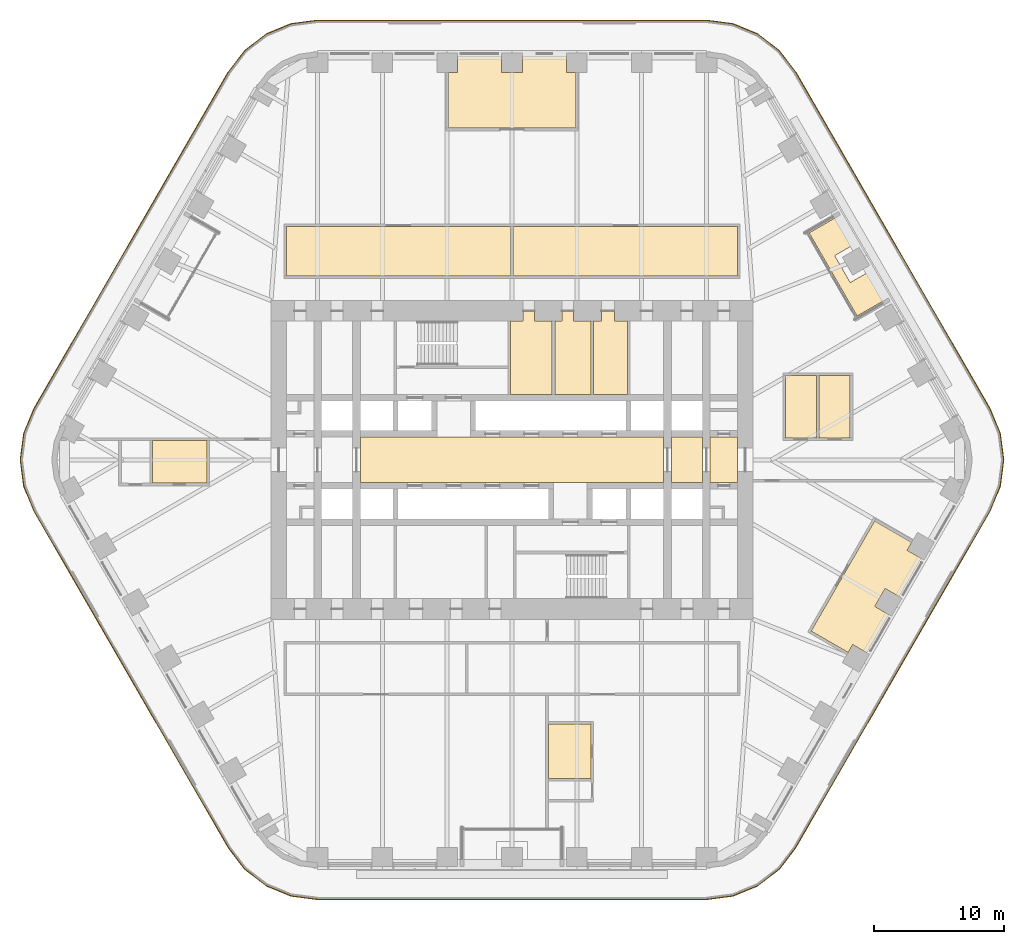
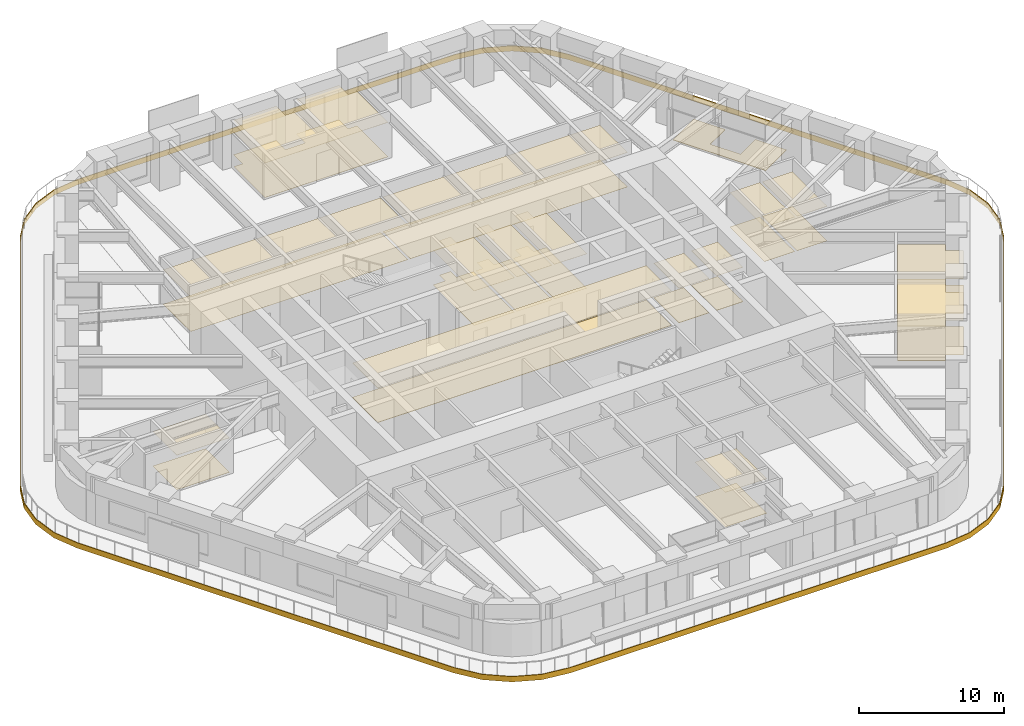
# One storey, part 23 of 24: 16 coverings.
"""IFC4 building model written with IfcOpenShell, lengths in metres."""

from ifc_helpers import new_model, si_unit, direction, frame, origin, place, context, subcontext, project, spatial, polyline, outline, extrude, material, layer, layer_set, type_object, element, save


model = new_model("IFC4")

# Units and contexts
model_context = context("Model", 3, precision=1e-05, world=origin(), true_north=direction((0.0, 1.0)))
body_context = subcontext(model_context, "Body", "Model", "MODEL_VIEW")
ifc_project = project(units=[si_unit("LENGTHUNIT", "METRE"), si_unit("AREAUNIT", "SQUARE_METRE"), si_unit("VOLUMEUNIT", "CUBIC_METRE"), si_unit("PLANEANGLEUNIT", "RADIAN"), si_unit("MASSUNIT", "GRAM", prefix="KILO")], contexts=[model_context])

# Site, building, storey
site_placement = place(None, origin())
site = spatial("IfcSite", under=ifc_project, at=site_placement, CompositionType="ELEMENT")
building_placement = place(site_placement, origin())
building = spatial("IfcBuilding", under=site, at=building_placement, Name="Tarfa Lantern Tower", CompositionType="ELEMENT")
storey_placement = place(building_placement, frame((0.0, 0.0, 148.89990234375)))
storey = spatial("IfcBuildingStorey", under=building, at=storey_placement, Name="L33", CompositionType="ELEMENT", Elevation=148.89990234375)

# Coverings
ifc_material_1 = material(Name="Mineral fibre acoustic tile on suspension grid", Category="finish")
ifc_layer_1 = layer(ifc_material_1, 0.02001953125)
ifc_layer_set_1 = layer_set([ifc_layer_1], Name="CL1 ACOUSTIC TILE CEILING 20")
covering_type_1 = type_object("IfcCoveringType", Name="CL1 ACOUSTIC TILE CEILING 20", PredefinedType="CEILING", material=ifc_layer_set_1)
covering_1_placement = place(storey_placement, frame((0.0, 0.0, 2.900146484375)))
element("IfcCovering", 1, at=covering_1_placement, inside=storey, type_object=covering_type_1, Name="Ceiling L33 CL1", PredefinedType="CEILING", context=body_context, shape_type="SweptSolid", body=[
    extrude(outline(polyline([(-17.39990234375, 18.0), (-0.10009765625, 18.0), (-0.10009765625, 14.199951171875), (-17.39990234375, 14.199951171875), (-17.39990234375, 18.0)])), origin(), (0.0, 0.0, 1.0), 0.02001953125),
    extrude(outline(polyline([(0.10009765625, 18.0), (17.39990234375, 18.0), (17.39990234375, 14.199951171875), (0.10009765625, 14.199951171875), (0.10009765625, 18.0)])), origin(), (0.0, 0.0, 1.0), 0.02001953125),
    extrude(outline(polyline([(4.90380859375, 25.60009765625), (-4.90380859375, 25.60009765625), (-4.90380859375, 29.89990234375), (-4.20361328125, 29.89990234375), (-4.20361328125, 31.14990234375), (-0.800048828125, 31.14990234375), (-0.800048828125, 29.89990234375), (0.800048828125, 29.89990234375), (0.800048828125, 31.14990234375), (4.20361328125, 31.14990234375), (4.20361328125, 29.89990234375), (4.90380859375, 29.89990234375), (4.90380859375, 25.60009765625)])), origin(), (0.0, 0.0, 1.0), 0.02001953125),
    extrude(outline(polyline([(27.989990234375, -4.719970703125), (30.847900390625, -6.369873046875), (30.497802734375, -6.97607421875), (31.580322265625, -7.60107421875), (29.878662109375, -10.548828125), (28.7958984375, -9.923828125), (27.99609375, -11.3095703125), (29.07861328125, -11.9345703125), (27.376708984375, -14.882080078125), (26.294189453125, -14.257080078125), (25.944091796875, -14.86328125), (23.086181640625, -13.21337890625), (27.989990234375, -4.719970703125)])), origin(), (0.0, 0.0, 1.0), 0.02001953125),
    extrude(outline(polyline([(21.10009765625, 6.5), (23.5, 6.5), (23.5, 1.699951171875), (21.10009765625, 1.699951171875), (21.10009765625, 6.5)])), origin(), (0.0, 0.0, 1.0), 0.02001953125),
    extrude(outline(polyline([(23.699951171875, 6.5), (26.10009765625, 6.5), (26.10009765625, 1.699951171875), (23.699951171875, 1.699951171875), (23.699951171875, 6.5)])), origin(), (0.0, 0.0, 1.0), 0.02001953125),
    extrude(outline(polyline([(-27.7509765625, -1.800048828125), (-27.7509765625, 1.5), (-23.551025390625, 1.5), (-23.551025390625, -1.800048828125), (-27.7509765625, -1.800048828125)])), origin(), (0.0, 0.0, 1.0), 0.02001953125),
    extrude(outline(polyline([(6.10009765625, -24.60009765625), (2.800048828125, -24.60009765625), (2.800048828125, -20.39990234375), (6.10009765625, -20.39990234375), (6.10009765625, -24.60009765625)])), origin(), (0.0, 0.0, 1.0), 0.02001953125),
])
ifc_material_2 = material(Name="Moisture-resistant plasterboard", Category="finish")
ifc_layer_2 = layer(ifc_material_2, 0.014892578125)
ifc_layer_set_2 = layer_set([ifc_layer_2], Name="CL2 MOISTURE-RESISTANT PLASTERBOARD CEILING 15")
covering_type_2 = type_object("IfcCoveringType", Name="CL2 MOISTURE-RESISTANT PLASTERBOARD CEILING 15", PredefinedType="CEILING", material=ifc_layer_set_2)
covering_2_placement = place(storey_placement, frame((0.0, 0.0, 2.900146484375)))
element("IfcCovering", 2, at=covering_2_placement, inside=storey, type_object=covering_type_2, Name="Ceiling L33-09", PredefinedType="CEILING", context=body_context, shape_type="SweptSolid", body=[
    extrude(outline(polyline([(0.85009765625, 10.699951171875), (-0.10009765625, 10.699951171875), (-0.10009765625, 5.050048828125), (3.10009765625, 5.050048828125), (3.10009765625, 10.699951171875), (1.75, 10.699951171875), (1.75, 11.5), (0.85009765625, 11.5), (0.85009765625, 10.699951171875)])), origin(), (0.0, 0.0, 1.0), 0.014892578125),
])
covering_3_placement = place(storey_placement, frame((0.0, 0.0, 2.900146484375)))
element("IfcCovering", 3, at=covering_3_placement, inside=storey, type_object=covering_type_2, Name="Ceiling L33-10", PredefinedType="CEILING", context=body_context, shape_type="SweptSolid", body=[
    extrude(outline(polyline([(3.300048828125, 5.050048828125), (6.10009765625, 5.050048828125), (6.10009765625, 10.699951171875), (4.75, 10.699951171875), (4.75, 11.5), (3.85009765625, 11.5), (3.85009765625, 10.699951171875), (3.300048828125, 10.699951171875), (3.300048828125, 5.050048828125)])), origin(), (0.0, 0.0, 1.0), 0.014892578125),
])
covering_4_placement = place(storey_placement, frame((0.0, 0.0, 2.900146484375)))
element("IfcCovering", 4, at=covering_4_placement, inside=storey, type_object=covering_type_2, Name="Ceiling L33-11", PredefinedType="CEILING", context=body_context, shape_type="SweptSolid", body=[
    extrude(outline(polyline([(6.300048828125, 5.050048828125), (8.89990234375, 5.050048828125), (8.89990234375, 10.699951171875), (7.89990234375, 10.699951171875), (7.89990234375, 11.5), (6.89990234375, 11.5), (6.89990234375, 10.699951171875), (6.300048828125, 10.699951171875), (6.300048828125, 5.050048828125)])), origin(), (0.0, 0.0, 1.0), 0.014892578125),
])
ifc_material_3 = material(Name="Powder-coated aluminium panel", Category="aluminium")
ifc_layer_3 = layer(ifc_material_3, 0.030029296875)
ifc_layer_set_3 = layer_set([ifc_layer_3], Name="CL3 METAL PANEL CEILING 30")
covering_type_3 = type_object("IfcCoveringType", Name="CL3 METAL PANEL CEILING 30", PredefinedType="CEILING", material=ifc_layer_set_3)
covering_5_placement = place(storey_placement, frame((0.0, 0.0, 2.900146484375)))
element("IfcCovering", 5, at=covering_5_placement, inside=storey, type_object=covering_type_3, Name="Ceiling L33-03", PredefinedType="CEILING", context=body_context, shape_type="SweptSolid", body=[
    extrude(outline(polyline([(-11.699951171875, -1.75), (11.699951171875, -1.75), (11.699951171875, 1.75), (-11.699951171875, 1.75), (-11.699951171875, -1.75)])), origin(), (0.0, 0.0, 1.0), 0.030029296875),
])
covering_6_placement = place(storey_placement, frame((0.0, 0.0, 2.900146484375)))
element("IfcCovering", 6, at=covering_6_placement, inside=storey, type_object=covering_type_3, Name="Ceiling L33-04", PredefinedType="CEILING", context=body_context, shape_type="SweptSolid", body=[
    extrude(outline(polyline([(12.300048828125, -1.75), (14.699951171875, -1.75), (14.699951171875, 1.75), (12.300048828125, 1.75), (12.300048828125, -1.75)])), origin(), (0.0, 0.0, 1.0), 0.030029296875),
])
covering_7_placement = place(storey_placement, frame((0.0, 0.0, 2.900146484375)))
element("IfcCovering", 7, at=covering_7_placement, inside=storey, type_object=covering_type_3, Name="Ceiling L33-05", PredefinedType="CEILING", context=body_context, shape_type="SweptSolid", body=[
    extrude(outline(polyline([(15.300048828125, -1.75), (17.39990234375, -1.75), (17.39990234375, 1.75), (15.300048828125, 1.75), (15.300048828125, -1.75)])), origin(), (0.0, 0.0, 1.0), 0.030029296875),
])
ifc_material_4 = material(Name="Nylon carpet tile", Category="finish")
ifc_layer_4 = layer(ifc_material_4, 0.010009765625)
ifc_layer_set_4 = layer_set([ifc_layer_4], Name="FL1 CARPET TILE 10")
covering_type_4 = type_object("IfcCoveringType", Name="FL1 CARPET TILE 10", PredefinedType="FLOORING", material=ifc_layer_set_4)
covering_8_placement = place(storey_placement, origin())
element("IfcCovering", 8, at=covering_8_placement, inside=storey, type_object=covering_type_4, Name="Floor finish L33 FL1", PredefinedType="FLOORING", context=body_context, shape_type="SweptSolid", body=[
    extrude(outline(polyline([(-17.39990234375, 18.0), (-0.10009765625, 18.0), (-0.10009765625, 14.199951171875), (-17.39990234375, 14.199951171875), (-17.39990234375, 18.0)])), origin(), (0.0, 0.0, 1.0), 0.010009765625),
    extrude(outline(polyline([(0.10009765625, 18.0), (17.39990234375, 18.0), (17.39990234375, 14.199951171875), (0.10009765625, 14.199951171875), (0.10009765625, 18.0)])), origin(), (0.0, 0.0, 1.0), 0.010009765625),
    extrude(outline(polyline([(4.90380859375, 25.60009765625), (-4.90380859375, 25.60009765625), (-4.90380859375, 29.89990234375), (-4.20361328125, 29.89990234375), (-4.20361328125, 31.14990234375), (-0.800048828125, 31.14990234375), (-0.800048828125, 29.89990234375), (0.800048828125, 29.89990234375), (0.800048828125, 31.14990234375), (4.20361328125, 31.14990234375), (4.20361328125, 29.89990234375), (4.90380859375, 29.89990234375), (4.90380859375, 25.60009765625)])), origin(), (0.0, 0.0, 1.0), 0.010009765625),
    extrude(outline(polyline([(27.989990234375, -4.719970703125), (30.847900390625, -6.369873046875), (30.497802734375, -6.97607421875), (31.580322265625, -7.60107421875), (29.878662109375, -10.548828125), (28.7958984375, -9.923828125), (27.99609375, -11.3095703125), (29.07861328125, -11.9345703125), (27.376708984375, -14.882080078125), (26.294189453125, -14.257080078125), (25.944091796875, -14.86328125), (23.086181640625, -13.21337890625), (27.989990234375, -4.719970703125)])), origin(), (0.0, 0.0, 1.0), 0.010009765625),
    extrude(outline(polyline([(21.10009765625, 6.5), (23.5, 6.5), (23.5, 1.699951171875), (21.10009765625, 1.699951171875), (21.10009765625, 6.5)])), origin(), (0.0, 0.0, 1.0), 0.010009765625),
    extrude(outline(polyline([(23.699951171875, 6.5), (26.10009765625, 6.5), (26.10009765625, 1.699951171875), (23.699951171875, 1.699951171875), (23.699951171875, 6.5)])), origin(), (0.0, 0.0, 1.0), 0.010009765625),
    extrude(outline(polyline([(-27.7509765625, -1.800048828125), (-27.7509765625, 1.5), (-23.551025390625, 1.5), (-23.551025390625, -1.800048828125), (-27.7509765625, -1.800048828125)])), origin(), (0.0, 0.0, 1.0), 0.010009765625),
    extrude(outline(polyline([(6.10009765625, -24.60009765625), (2.800048828125, -24.60009765625), (2.800048828125, -20.39990234375), (6.10009765625, -20.39990234375), (6.10009765625, -24.60009765625)])), origin(), (0.0, 0.0, 1.0), 0.010009765625),
])
ifc_material_5 = material(Name="Honed limestone flooring", Category="masonry")
ifc_layer_5 = layer(ifc_material_5, 0.030029296875)
ifc_layer_set_5 = layer_set([ifc_layer_5], Name="FL2 STONE FLOORING 30")
covering_type_5 = type_object("IfcCoveringType", Name="FL2 STONE FLOORING 30", PredefinedType="FLOORING", material=ifc_layer_set_5)
covering_9_placement = place(storey_placement, origin())
element("IfcCovering", 9, at=covering_9_placement, inside=storey, type_object=covering_type_5, Name="Floor finish L33-03", PredefinedType="FLOORING", context=body_context, shape_type="SweptSolid", body=[
    extrude(outline(polyline([(-11.699951171875, -1.75), (11.699951171875, -1.75), (11.699951171875, 1.75), (-11.699951171875, 1.75), (-11.699951171875, -1.75)])), origin(), (0.0, 0.0, 1.0), 0.030029296875),
])
covering_10_placement = place(storey_placement, origin())
element("IfcCovering", 10, at=covering_10_placement, inside=storey, type_object=covering_type_5, Name="Floor finish L33-04", PredefinedType="FLOORING", context=body_context, shape_type="SweptSolid", body=[
    extrude(outline(polyline([(12.300048828125, -1.75), (14.699951171875, -1.75), (14.699951171875, 1.75), (12.300048828125, 1.75), (12.300048828125, -1.75)])), origin(), (0.0, 0.0, 1.0), 0.030029296875),
])
covering_11_placement = place(storey_placement, origin())
element("IfcCovering", 11, at=covering_11_placement, inside=storey, type_object=covering_type_5, Name="Floor finish L33-05", PredefinedType="FLOORING", context=body_context, shape_type="SweptSolid", body=[
    extrude(outline(polyline([(15.300048828125, -1.75), (17.39990234375, -1.75), (17.39990234375, 1.75), (15.300048828125, 1.75), (15.300048828125, -1.75)])), origin(), (0.0, 0.0, 1.0), 0.030029296875),
])
ifc_material_6 = material(Name="Porcelain floor tile", Category="finish")
ifc_layer_6 = layer(ifc_material_6, 0.011962890625)
ifc_layer_set_6 = layer_set([ifc_layer_6], Name="FL3 CERAMIC TILE 12")
covering_type_6 = type_object("IfcCoveringType", Name="FL3 CERAMIC TILE 12", PredefinedType="FLOORING", material=ifc_layer_set_6)
covering_12_placement = place(storey_placement, origin())
element("IfcCovering", 12, at=covering_12_placement, inside=storey, type_object=covering_type_6, Name="Floor finish L33-09", PredefinedType="FLOORING", context=body_context, shape_type="SweptSolid", body=[
    extrude(outline(polyline([(0.85009765625, 10.699951171875), (-0.10009765625, 10.699951171875), (-0.10009765625, 5.050048828125), (3.10009765625, 5.050048828125), (3.10009765625, 10.699951171875), (1.75, 10.699951171875), (1.75, 11.5), (0.85009765625, 11.5), (0.85009765625, 10.699951171875)])), origin(), (0.0, 0.0, 1.0), 0.01220703125),
])
covering_13_placement = place(storey_placement, origin())
element("IfcCovering", 13, at=covering_13_placement, inside=storey, type_object=covering_type_6, Name="Floor finish L33-10", PredefinedType="FLOORING", context=body_context, shape_type="SweptSolid", body=[
    extrude(outline(polyline([(3.300048828125, 5.050048828125), (6.10009765625, 5.050048828125), (6.10009765625, 10.699951171875), (4.75, 10.699951171875), (4.75, 11.5), (3.85009765625, 11.5), (3.85009765625, 10.699951171875), (3.300048828125, 10.699951171875), (3.300048828125, 5.050048828125)])), origin(), (0.0, 0.0, 1.0), 0.01220703125),
])
covering_14_placement = place(storey_placement, origin())
element("IfcCovering", 14, at=covering_14_placement, inside=storey, type_object=covering_type_6, Name="Floor finish L33-11", PredefinedType="FLOORING", context=body_context, shape_type="SweptSolid", body=[
    extrude(outline(polyline([(6.300048828125, 5.050048828125), (8.89990234375, 5.050048828125), (8.89990234375, 10.699951171875), (7.89990234375, 10.699951171875), (7.89990234375, 11.5), (6.89990234375, 11.5), (6.89990234375, 10.699951171875), (6.300048828125, 10.699951171875), (6.300048828125, 5.050048828125)])), origin(), (0.0, 0.0, 1.0), 0.01220703125),
])
ifc_material_7 = material(Name="Porcelain pavers on pedestals", Category="ceramic")
ifc_layer_7 = layer(ifc_material_7, 0.0400390625)
ifc_layer_set_7 = layer_set([ifc_layer_7], Name="LP1 LOGGIA PAVING 40")
covering_type_7 = type_object("IfcCoveringType", Name="LP1 LOGGIA PAVING 40", PredefinedType="FLOORING", material=ifc_layer_set_7)
covering_15_placement = place(storey_placement, origin())
element("IfcCovering", 15, at=covering_15_placement, inside=storey, type_object=covering_type_7, Name="Loggia paving NE", PredefinedType="FLOORING", context=body_context, shape_type="SweptSolid", body=[
    extrude(outline(polyline([(29.131591796875, 12.54248046875), (26.637451171875, 11.1025390625), (22.933837890625, 17.517578125), (25.427978515625, 18.95751953125), (26.6796875, 16.789306640625), (24.904541015625, 15.76416015625), (26.1044921875, 13.685791015625), (27.8798828125, 14.710693359375), (29.131591796875, 12.54248046875)])), origin(), (0.0, 0.0, 1.0), 0.0400390625),
])
ifc_material_8 = material(Name="Limestone cladding on brackets", Category="masonry")
ifc_layer_8 = layer(ifc_material_8, 0.050048828125)
ifc_layer_set_8 = layer_set([ifc_layer_8], Name="SB1 STONE BAND CLADDING 50")
covering_type_8 = type_object("IfcCoveringType", Name="SB1 STONE BAND CLADDING 50", PredefinedType="CLADDING", material=ifc_layer_set_8)
covering_16_placement = place(storey_placement, frame((0.0, 0.0, -0.39990234375)))
element("IfcCovering", 16, at=covering_16_placement, inside=storey, type_object=covering_type_8, Name="Stone band", PredefinedType="CLADDING", context=body_context, shape_type="SweptSolid", body=[
    extrude(outline(polyline([(36.9072265625, 3.97509765625), (21.89599609375, 29.97509765625), (20.632568359375, 31.62158203125), (18.986083984375, 32.885009765625), (17.068603515625, 33.67919921875), (15.010986328125, 33.949951171875), (-15.010986328125, 33.949951171875), (-17.068603515625, 33.67919921875), (-18.986083984375, 32.885009765625), (-20.632568359375, 31.62158203125), (-21.89599609375, 29.97509765625), (-36.9072265625, 3.97509765625), (-37.701416015625, 2.0576171875), (-37.97216796875, 0.0), (-37.701416015625, -2.0576171875), (-36.9072265625, -3.97509765625), (-21.89599609375, -29.97509765625), (-20.632568359375, -31.62158203125), (-18.986083984375, -32.885009765625), (-17.068603515625, -33.67919921875), (-15.010986328125, -33.949951171875), (15.010986328125, -33.949951171875), (17.068603515625, -33.67919921875), (18.986083984375, -32.885009765625), (20.632568359375, -31.62158203125), (21.89599609375, -29.97509765625), (36.9072265625, -3.97509765625), (37.701416015625, -2.0576171875), (37.97216796875, 0.0), (37.701416015625, 2.0576171875), (36.9072265625, 3.97509765625)]), holes=[polyline([(36.86376953125, 3.949951171875), (21.852783203125, 29.949951171875), (20.59716796875, 31.586181640625), (18.961181640625, 32.841552734375), (17.0556640625, 33.630859375), (15.010986328125, 33.89990234375), (-15.010986328125, 33.89990234375), (-17.0556640625, 33.630859375), (-18.961181640625, 32.841552734375), (-20.59716796875, 31.586181640625), (-21.852783203125, 29.949951171875), (-36.86376953125, 3.949951171875), (-37.653076171875, 2.044677734375), (-37.922119140625, 0.0), (-37.653076171875, -2.044677734375), (-36.86376953125, -3.949951171875), (-21.852783203125, -29.949951171875), (-20.59716796875, -31.586181640625), (-18.961181640625, -32.841552734375), (-17.0556640625, -33.630859375), (-15.010986328125, -33.89990234375), (15.010986328125, -33.89990234375), (17.0556640625, -33.630859375), (18.961181640625, -32.841552734375), (20.59716796875, -31.586181640625), (21.852783203125, -29.949951171875), (36.86376953125, -3.949951171875), (37.653076171875, -2.044677734375), (37.922119140625, 0.0), (37.653076171875, 2.044677734375), (36.86376953125, 3.949951171875)])]), origin(), (0.0, 0.0, 1.0), 0.449951171875),
])

save(model, "model.ifc")
